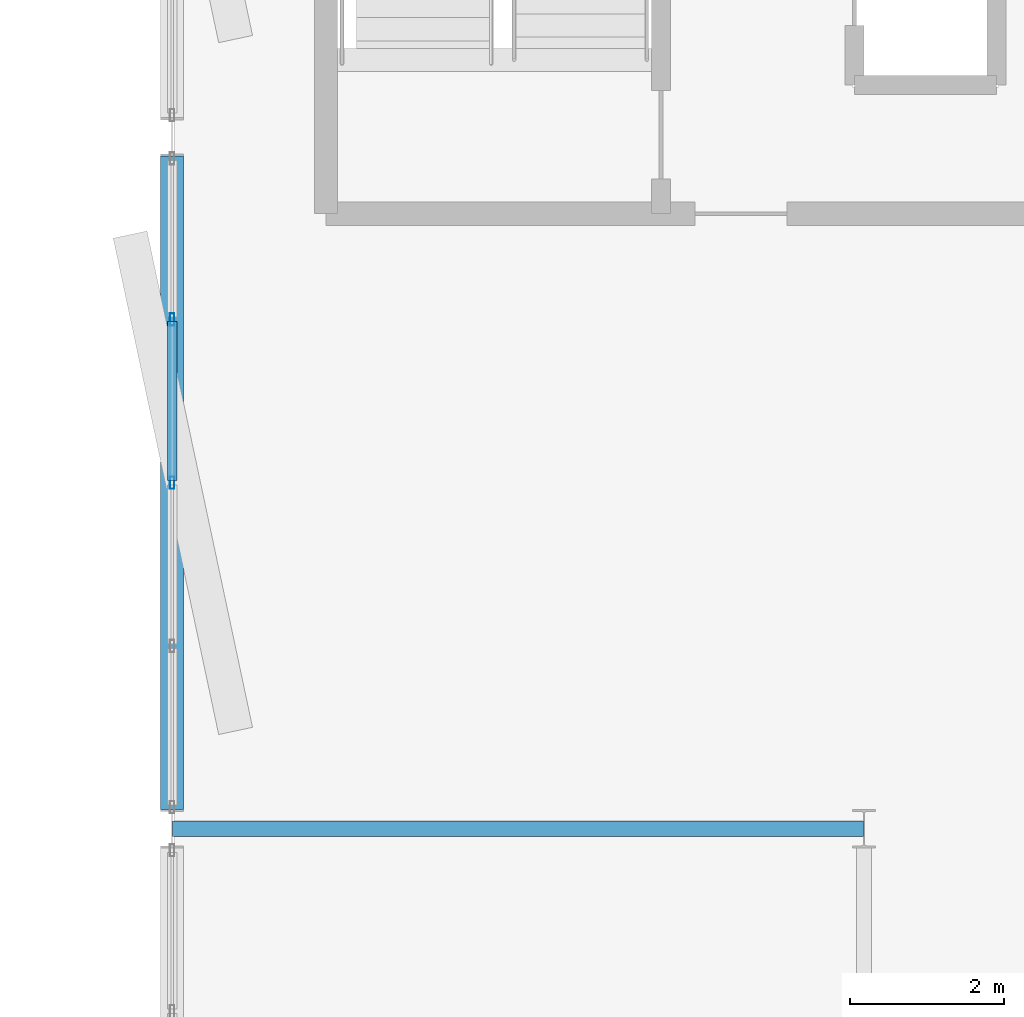
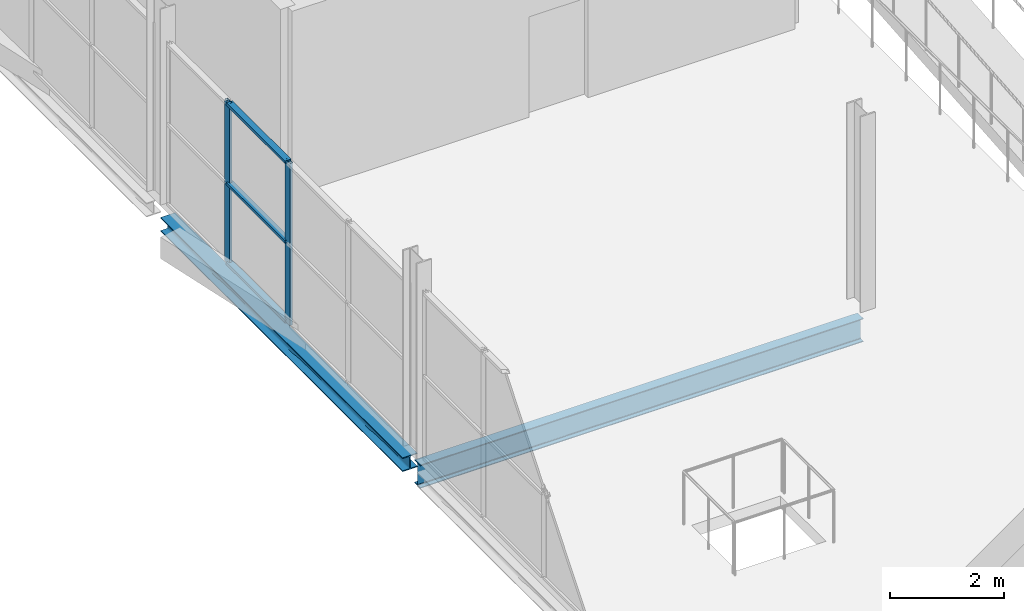
# One storey, part 61 of 140: 5 members, 2 beams, 1 element without a shape of its own.
"""IFC4 building model written with IfcOpenShell, lengths in metres."""

from ifc_helpers import new_model, si_unit, direction, frame, origin, origin_2d, place, context, subcontext, project, spatial, hollow_rectangle, i_section, extrude, material, layer, layer_set, material_profile, profile_set, type_object, element, aggregate, save


model = new_model("IFC4")

# Units and contexts
model_context = context("Model", 3, precision=1e-05, world=origin(), true_north=direction((0.0, 1.0)))
body_context = subcontext(model_context, "Body", "Model", "MODEL_VIEW")
ifc_project = project(units=[si_unit("LENGTHUNIT", "METRE"), si_unit("AREAUNIT", "SQUARE_METRE"), si_unit("VOLUMEUNIT", "CUBIC_METRE"), si_unit("PLANEANGLEUNIT", "RADIAN"), si_unit("MASSUNIT", "GRAM", prefix="KILO")], contexts=[model_context])

# Site, building, storey
site_placement = place(None, origin())
site = spatial("IfcSite", under=ifc_project, at=site_placement, CompositionType="ELEMENT")
building_placement = place(site_placement, origin())
building = spatial("IfcBuilding", under=site, at=building_placement, Name="Deido Ridge Mobility Hub", CompositionType="ELEMENT")
storey_placement = place(building_placement, origin())
storey = spatial("IfcBuildingStorey", under=building, at=storey_placement, Name="L00", CompositionType="ELEMENT", Elevation=0.0)

# Beam
ifc_material_1 = material(Name="Steel S355J2 EN 10025-2", Category="steel")
ifc_material_profile_1 = material_profile(ifc_material_1, i_section(OverallWidth=0.199951171875, OverallDepth=0.5, WebThickness=0.01025390625, FlangeThickness=0.01611328125, FilletRadius=0.02099609375, at=origin_2d()), Name="IPE 500")
ifc_profile_set_1 = profile_set([ifc_material_profile_1], Name="Steel S355J2 EN 10025-2")
beam_type_1 = type_object("IfcBeamType", Name="BM-IPE500", PredefinedType="BEAM", material=ifc_profile_set_1)
beam_1_placement = place(storey_placement, frame((72.007080078125, 54.0, -0.510009765625), z_axis=(1.0, 0.0, 0.0), x_axis=(0.0, 1.0, 0.0)))
element("IfcBeam", 1, at=beam_1_placement, inside=storey, type_object=beam_type_1, Name="Floor beam B3", PredefinedType="BEAM", context=body_context, shape_type="SweptSolid", body=[
    extrude(i_section(OverallWidth=0.199951171875, OverallDepth=0.5, WebThickness=0.01025390625, FlangeThickness=0.01611328125, FilletRadius=0.02099609375, at=origin_2d()), origin(), (0.0, 0.0, 1.0), 8.98583984375),
])

# Curtain wall, members
ifc_material_2 = material(Name="Anodised aluminium EN AW-6063 T6", Category="aluminium")
ifc_layer = layer(ifc_material_2, 0.1650390625, Name="Anodised aluminium EN AW-6063 T6")
ifc_layer_set = layer_set([ifc_layer], Name="Anodised aluminium EN AW-6063 T6")
curtain_wall_type = type_object("IfcCurtainWallType", Name="CW-UF-1", PredefinedType="USERDEFINED", material=ifc_layer_set)
curtain_wall_placement = place(storey_placement, origin())
curtain_wall = element("IfcCurtainWall", 2, at=curtain_wall_placement, inside=storey, type_object=curtain_wall_type, Name="Unitised curtain wall CW1", ObjectType="UNITISED FACADE", PredefinedType="USERDEFINED")
ifc_material_profile_2 = material_profile(ifc_material_2, hollow_rectangle(XDim=0.06005859375, YDim=0.159912109375, WallThickness=0.00390625, at=origin_2d()), Name="RHS 60x160x4")
ifc_profile_set_2 = profile_set([ifc_material_profile_2], Name="Anodised aluminium EN AW-6063 T6")
member_type_1 = type_object("IfcMemberType", Name="MEM-MUL-60X160", PredefinedType="MULLION", material=ifc_profile_set_2)
member_1_placement = place(storey_placement, frame((72.0, 58.5, 0.0), z_axis=(0.0, 0.0, 1.0), x_axis=(-1.0, 0.0, 0.0)))
member_1 = element("IfcMember", 3, at=member_1_placement, type_object=member_type_1, Name="CW1 mullion 3", PredefinedType="MULLION", context=body_context, shape_type="SweptSolid", body=[
    extrude(hollow_rectangle(XDim=0.06005859375, YDim=0.159912109375, WallThickness=0.00390625, at=origin_2d()), origin(), (0.0, 0.0, 1.0), 3.47509765625),
])
member_2_placement = place(storey_placement, frame((72.0, 60.625, 0.0), z_axis=(0.0, 0.0, 1.0), x_axis=(-1.0, 0.0, 0.0)))
member_2 = element("IfcMember", 4, at=member_2_placement, type_object=member_type_1, Name="CW1 mullion 4", PredefinedType="MULLION", context=body_context, shape_type="SweptSolid", body=[
    extrude(hollow_rectangle(XDim=0.06005859375, YDim=0.159912109375, WallThickness=0.00390625, at=origin_2d()), origin(), (0.0, 0.0, 1.0), 3.47509765625),
])
ifc_material_profile_3 = material_profile(ifc_material_2, hollow_rectangle(XDim=0.125, YDim=0.06005859375, WallThickness=0.00390625, at=origin_2d()), Name="RHS 125x60x4")
ifc_profile_set_3 = profile_set([ifc_material_profile_3], Name="Anodised aluminium EN AW-6063 T6")
member_type_2 = type_object("IfcMemberType", Name="MEM-TRN-125X60", PredefinedType="USERDEFINED", material=ifc_profile_set_3)
member_3_placement = place(storey_placement, frame((72.0, 58.530029296875, 0.030029296875), z_axis=(0.0, 1.0, 0.0), x_axis=(-1.0, 0.0, 0.0)))
member_3 = element("IfcMember", 5, at=member_3_placement, type_object=member_type_2, Name="CW1 transom 3.1", ObjectType="TRANSOM", PredefinedType="USERDEFINED", context=body_context, shape_type="SweptSolid", body=[
    extrude(hollow_rectangle(XDim=0.125, YDim=0.06005859375, WallThickness=0.00390625, at=origin_2d()), origin(), (0.0, 0.0, 1.0), 2.06494140625),
])
member_4_placement = place(storey_placement, frame((72.0, 58.530029296875, 1.737548828125), z_axis=(0.0, 1.0, 0.0), x_axis=(-1.0, 0.0, 0.0)))
member_4 = element("IfcMember", 6, at=member_4_placement, type_object=member_type_2, Name="CW1 transom 3.2", ObjectType="TRANSOM", PredefinedType="USERDEFINED", context=body_context, shape_type="SweptSolid", body=[
    extrude(hollow_rectangle(XDim=0.125, YDim=0.06005859375, WallThickness=0.00390625, at=origin_2d()), origin(), (0.0, 0.0, 1.0), 2.06494140625),
])
member_5_placement = place(storey_placement, frame((72.0, 58.530029296875, 3.445068359375), z_axis=(0.0, 1.0, 0.0), x_axis=(-1.0, 0.0, 0.0)))
member_5 = element("IfcMember", 7, at=member_5_placement, type_object=member_type_2, Name="CW1 transom 3.3", ObjectType="TRANSOM", PredefinedType="USERDEFINED", context=body_context, shape_type="SweptSolid", body=[
    extrude(hollow_rectangle(XDim=0.125, YDim=0.06005859375, WallThickness=0.00390625, at=origin_2d()), origin(), (0.0, 0.0, 1.0), 2.06494140625),
])
aggregate(curtain_wall, [member_1, member_2, member_3, member_4, member_5])

# Beam
ifc_material_profile_4 = material_profile(ifc_material_1, i_section(OverallWidth=0.300048828125, OverallDepth=0.300048828125, WebThickness=0.010986328125, FlangeThickness=0.01904296875, FilletRadius=0.027099609375, at=origin_2d()), Name="HEB 300")
ifc_profile_set_4 = profile_set([ifc_material_profile_4], Name="Steel S355J2 EN 10025-2")
beam_type_2 = type_object("IfcBeamType", Name="SPD-HEB300", PredefinedType="SPANDREL", material=ifc_profile_set_4)
beam_2_placement = place(storey_placement, frame((72.0, 54.25, -0.409912109375), z_axis=(0.0, 1.0, 0.0), x_axis=(-1.0, 0.0, 0.0)))
element("IfcBeam", 8, at=beam_2_placement, inside=storey, type_object=beam_type_2, Name="Floor beam SP1", PredefinedType="SPANDREL", context=body_context, shape_type="SweptSolid", body=[
    extrude(i_section(OverallWidth=0.300048828125, OverallDepth=0.300048828125, WebThickness=0.010986328125, FlangeThickness=0.01904296875, FilletRadius=0.027099609375, at=origin_2d()), origin(), (0.0, 0.0, 1.0), 8.5),
])

save(model, "model.ifc")
